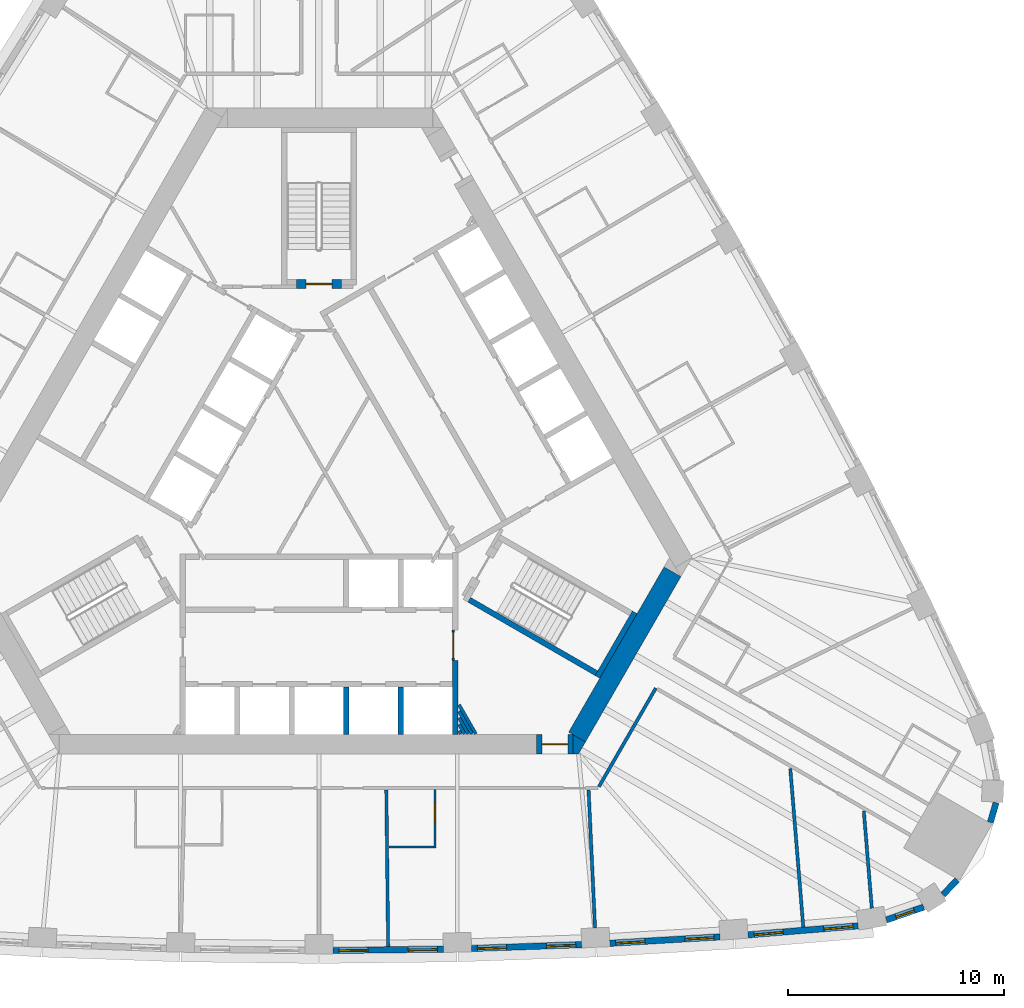
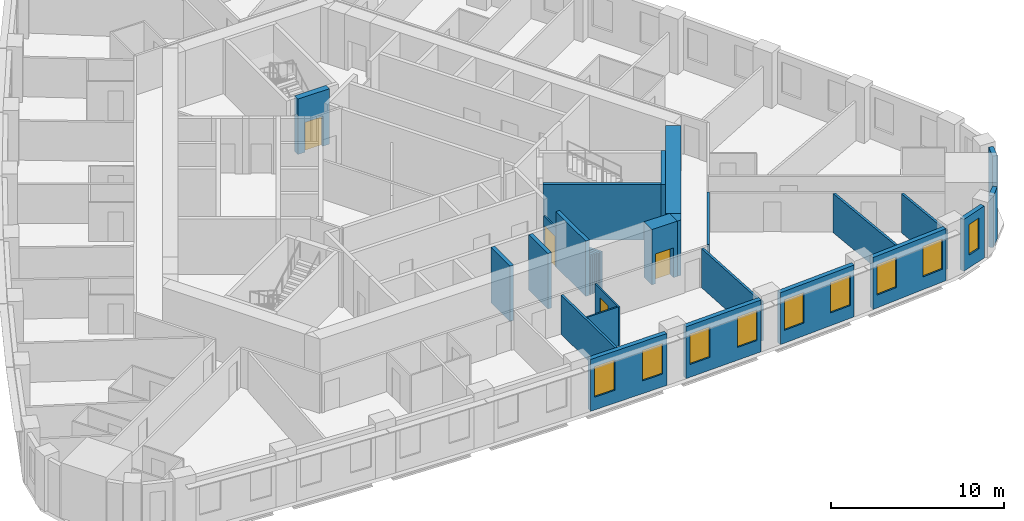
# One storey, part 7 of 13: 29 walls, 9 windows, 4 doors, 13 openings.
"""IFC4 building model written with IfcOpenShell, lengths in metres."""

from ifc_helpers import new_model, si_unit, direction, frame, frame_2d, origin, place, context, subcontext, project, spatial, polyline, rectangle, outline, extrude, material, layer, layer_set, type_object, element, fill, save


model = new_model("IFC4")

# Units and contexts
model_context = context("Model", 3, precision=1e-05, world=origin(), true_north=direction((0.0, 1.0)))
body_context = subcontext(model_context, "Body", "Model", "MODEL_VIEW")
ifc_project = project(units=[si_unit("LENGTHUNIT", "METRE"), si_unit("AREAUNIT", "SQUARE_METRE"), si_unit("VOLUMEUNIT", "CUBIC_METRE"), si_unit("PLANEANGLEUNIT", "RADIAN"), si_unit("MASSUNIT", "GRAM", prefix="KILO")], contexts=[model_context])

# Site, building, storey
site_placement = place(None, origin())
site = spatial("IfcSite", under=ifc_project, at=site_placement, CompositionType="ELEMENT")
building_placement = place(site_placement, origin())
building = spatial("IfcBuilding", under=site, at=building_placement, Name="Mestral Congress Tower", CompositionType="ELEMENT")
storey_placement = place(building_placement, frame((0.0, 0.0, 114.89990234375)))
storey = spatial("IfcBuildingStorey", under=building, at=storey_placement, Name="L27", CompositionType="ELEMENT", Elevation=114.89990234375)

# Walls
ifc_material_1 = material(Name="Fire-rated board partition")
ifc_layer_1 = layer(ifc_material_1, 0.14990234375)
ifc_layer_set_1 = layer_set([ifc_layer_1], Name="Fire-rated board partition")
wall_type_1 = type_object("IfcWallType", Name="Core partition 150", PredefinedType="PARTITIONING", material=ifc_layer_set_1)
wall_1_placement = place(storey_placement, frame((6.47998046875, -10.7255859375, 0.0), z_axis=(0.0, 0.0, 1.0), x_axis=(0.500017819788, -0.86601511528, 0.0)))
element("IfcWall", 1, at=wall_1_placement, inside=storey, type_object=wall_type_1, Name="L27 core wall", PredefinedType="PARTITIONING", context=body_context, shape_type="SweptSolid", body=[
    extrude(rectangle(XDim=1.55029296875, YDim=0.14990234375, at=frame_2d((0.775146484375, 0.0))), origin(), (0.0, 0.0, 1.0), 2.75),
])
wall_2_placement = place(storey_placement, frame((6.47998046875, -11.025634765625, 0.0), z_axis=(0.0, 0.0, 1.0), x_axis=(0.49995654735, -0.86605048973, 0.0)))
element("IfcWall", 2, at=wall_2_placement, inside=storey, type_object=wall_type_1, Name="L27 core wall", PredefinedType="PARTITIONING", context=body_context, shape_type="SweptSolid", body=[
    extrude(rectangle(XDim=1.20361328125, YDim=0.14990234375, at=frame_2d((0.601806640625, 0.0))), origin(), (0.0, 0.0, 1.0), 2.75),
])
wall_3_placement = place(storey_placement, frame((6.47998046875, -11.32568359375, 0.0), z_axis=(0.0, 0.0, 1.0), x_axis=(0.500059337743, -0.865991142412, 0.0)))
element("IfcWall", 3, at=wall_3_placement, inside=storey, type_object=wall_type_1, Name="L27 core wall", PredefinedType="PARTITIONING", context=body_context, shape_type="SweptSolid", body=[
    extrude(rectangle(XDim=0.857421875, YDim=0.14990234375, at=frame_2d((0.4287109375, 0.0))), origin(), (0.0, 0.0, 1.0), 2.75),
])
wall_4_placement = place(storey_placement, frame((6.47998046875, -11.625732421875, 0.0), z_axis=(0.0, 0.0, 1.0), x_axis=(0.500301480982, -0.865851273677, 0.0)))
element("IfcWall", 4, at=wall_4_placement, inside=storey, type_object=wall_type_1, Name="L27 core wall", PredefinedType="PARTITIONING", context=body_context, shape_type="SweptSolid", body=[
    extrude(rectangle(XDim=0.510986328125, YDim=0.14990234375, at=frame_2d((0.25537109375, 0.0))), origin(), (0.0, 0.0, 1.0), 2.75),
])
wall_5_placement = place(storey_placement, frame((6.47998046875, -11.92578125, 0.0), z_axis=(0.0, 0.0, 1.0), x_axis=(0.500450775723, -0.86576499183, 0.0)))
element("IfcWall", 5, at=wall_5_placement, inside=storey, type_object=wall_type_1, Name="L27 core wall", PredefinedType="PARTITIONING", context=body_context, shape_type="SweptSolid", body=[
    extrude(rectangle(XDim=0.164306640625, YDim=0.14990234375, at=frame_2d((0.08203125, 0.0))), origin(), (0.0, 0.0, 1.0), 2.75),
])

# Wall, opening, door
ifc_layer_2 = layer(ifc_material_1, 0.090087890625)
ifc_layer_set_2 = layer_set([ifc_layer_2], Name="Fire-rated board partition")
wall_type_2 = type_object("IfcWallType", Name="Core partition 150 door-wall 90", PredefinedType="PARTITIONING", material=ifc_layer_set_2)
wall_6_placement = place(storey_placement, frame((6.219970703125, -7.266357421875, 0.0), z_axis=(0.0, 0.0, 1.0), x_axis=(0.0, -1.0, 0.0)))
wall_6 = element("IfcWall", 6, at=wall_6_placement, inside=storey, type_object=wall_type_2, Name="L27 door wall", PredefinedType="PARTITIONING", context=body_context, shape_type="SweptSolid", body=[
    extrude(rectangle(XDim=1.400146484375, YDim=0.090087890625, at=frame_2d((0.7001953125, 0.0))), origin(), (0.0, 0.0, 1.0), 2.75),
])
opening_1_placement = place(wall_6_placement, frame((0.10009765625, 0.0, 0.0)))
opening_1 = element("IfcOpeningElement", 7, at=opening_1_placement, cuts=wall_6, Name="Opening LB0-WL1", PredefinedType="OPENING", context=body_context, shape_type="SweptSolid", body=[
    extrude(rectangle(XDim=1.199951171875, YDim=2.10009765625, at=frame_2d((0.60009765625, 1.050048828125))), frame((0.0, 0.054931640625, 0.0), z_axis=(0.0, -1.0, 0.0), x_axis=(1.0, 0.0, 0.0)), (0.0, 0.0, 1.0), 0.110107421875),
])
ifc_material_2 = material(Name="Fire-rated steel door set", Category="steel")
door_type_1 = type_object("IfcDoorType", Name="Core door LB 1200x2100", OperationType="SINGLE_SWING_LEFT", PredefinedType="DOOR", material=ifc_material_2)
door_1_placement = place(opening_1_placement, origin())
door_1 = element("IfcDoor", 8, at=door_1_placement, inside=storey, type_object=door_type_1, Name="Door LB0-WL1", OperationType="SINGLE_SWING_LEFT", OverallHeight=2.10009765625, OverallWidth=1.199951171875, PredefinedType="DOOR", context=body_context, shape_type="SweptSolid", body=[
    extrude(rectangle(XDim=1.199951171875, YDim=2.10009765625, at=frame_2d((0.60009765625, 1.050048828125))), frame((0.0, 0.02490234375, 0.0), z_axis=(0.0, -1.0, 0.0), x_axis=(1.0, 0.0, 0.0)), (0.0, 0.0, 1.0), 0.050048828125),
])
fill(opening_1, door_1)

# Walls
ifc_material_3 = material(Name="Concrete C60/75", Category="concrete")
ifc_layer_3 = layer(ifc_material_3, 0.89990234375)
ifc_layer_set_3 = layer_set([ifc_layer_3], Name="Concrete C60/75")
wall_type_3 = type_object("IfcWallType", Name="Core wall RC 900", PredefinedType="SOLIDWALL", material=ifc_layer_set_3)
wall_7_placement = place(storey_placement, frame((11.943115234375, -12.214111328125, 0.0), z_axis=(0.0, 0.0, 1.0), x_axis=(0.49998092645, 0.866036415623, 0.0)))
element("IfcWall", 9, at=wall_7_placement, inside=storey, type_object=wall_type_3, Name="L27 core wall", PredefinedType="SOLIDWALL", context=body_context, shape_type="SweptSolid", body=[
    extrude(rectangle(XDim=8.830322265625, YDim=0.89990234375, at=frame_2d((4.4150390625, 0.0))), origin(), (0.0, 0.0, 1.0), 3.900146484375),
])
wall_8_placement = place(storey_placement, origin())
element("IfcWall", 10, at=wall_8_placement, inside=storey, type_object=wall_type_3, Name="L27 core wall", PredefinedType="SOLIDWALL", context=body_context, shape_type="SweptSolid", body=[
    extrude(outline(polyline([(12.0087890625, -13.0), (11.764404296875, -13.0), (11.764404296875, -12.11328125), (12.331787109375, -12.440673828125), (12.0087890625, -13.0)])), origin(), (0.0, 0.0, 1.0), 3.900146484375),
])

# Wall, opening, door
wall_9_placement = place(storey_placement, frame((11.764404296875, -12.550048828125, 0.0), z_axis=(0.0, 0.0, 1.0), x_axis=(-1.0, 0.0, 0.0)))
wall_9 = element("IfcWall", 11, at=wall_9_placement, inside=storey, type_object=wall_type_3, Name="L27 door wall", PredefinedType="SOLIDWALL", context=body_context, shape_type="SweptSolid", body=[
    extrude(rectangle(XDim=1.699951171875, YDim=0.89990234375, at=frame_2d((0.85009765625, 0.0))), origin(), (0.0, 0.0, 1.0), 3.900146484375),
])
opening_2_placement = place(wall_9_placement, frame((0.25, 0.0, 0.0)))
opening_2 = element("IfcOpeningElement", 12, at=opening_2_placement, cuts=wall_9, Name="Opening XD1", PredefinedType="OPENING", context=body_context, shape_type="SweptSolid", body=[
    extrude(rectangle(XDim=1.199951171875, YDim=2.10009765625, at=frame_2d((0.60009765625, 1.050048828125))), frame((0.0, 0.4599609375, 0.0), z_axis=(0.0, -1.0, 0.0), x_axis=(1.0, 0.0, 0.0)), (0.0, 0.0, 1.0), 0.919921875),
])
door_type_2 = type_object("IfcDoorType", Name="Core door XD 1200x2100", OperationType="SINGLE_SWING_LEFT", PredefinedType="DOOR", material=ifc_material_2)
door_2_placement = place(opening_2_placement, origin())
door_2 = element("IfcDoor", 13, at=door_2_placement, inside=storey, type_object=door_type_2, Name="Door XD1", OperationType="SINGLE_SWING_LEFT", OverallHeight=2.10009765625, OverallWidth=1.199951171875, PredefinedType="DOOR", context=body_context, shape_type="SweptSolid", body=[
    extrude(rectangle(XDim=1.199951171875, YDim=2.10009765625, at=frame_2d((0.60009765625, 1.050048828125))), frame((0.0, 0.02490234375, 0.0), z_axis=(0.0, -1.0, 0.0), x_axis=(1.0, 0.0, 0.0)), (0.0, 0.0, 1.0), 0.050048828125),
])
fill(opening_2, door_2)

# Wall, openings, windows
ifc_material_4 = material(Name="Precast concrete C40/50 with limestone facing", Category="masonry")
ifc_layer_4 = layer(ifc_material_4, 0.2900390625)
ifc_layer_set_4 = layer_set([ifc_layer_4], Name="Precast concrete C40/50 with limestone facing")
wall_type_4 = type_object("IfcWallType", Name="Facade stone wall 290", PredefinedType="SOLIDWALL", material=ifc_layer_set_4)
wall_10_placement = place(storey_placement, frame((0.6533203125, -22.091064453125, 0.0), z_axis=(0.0, 0.0, 1.0), x_axis=(0.999931786565, 0.011679992145, 0.0)))
wall_10 = element("IfcWall", 14, at=wall_10_placement, inside=storey, type_object=wall_type_4, Name="Facade wall F0-04", PredefinedType="SOLIDWALL", context=body_context, shape_type="SweptSolid", body=[
    extrude(rectangle(XDim=5.10009765625, YDim=0.2900390625, at=frame_2d((2.550048828125, 0.0))), origin(), (0.0, 0.0, 1.0), 3.650146484375),
])
opening_3_placement = place(wall_10_placement, frame((0.272705078125, 0.0, 0.89990234375)))
opening_3 = element("IfcOpeningElement", 15, at=opening_3_placement, cuts=wall_10, Name="Opening W2", PredefinedType="OPENING", context=body_context, shape_type="SweptSolid", body=[
    extrude(rectangle(XDim=1.35009765625, YDim=2.14990234375, at=frame_2d((0.675048828125, 1.074951171875))), frame((0.0, 0.155029296875, 0.0), z_axis=(0.0, -1.0, 0.0), x_axis=(1.0, 0.0, 0.0)), (0.0, 0.0, 1.0), 0.31005859375),
])
opening_4_placement = place(wall_10_placement, frame((3.477783203125, 0.0, 0.89990234375)))
opening_4 = element("IfcOpeningElement", 16, at=opening_4_placement, cuts=wall_10, Name="Opening W2", PredefinedType="OPENING", context=body_context, shape_type="SweptSolid", body=[
    extrude(rectangle(XDim=1.35009765625, YDim=2.14990234375, at=frame_2d((0.675048828125, 1.074951171875))), frame((0.0, 0.155029296875, 0.0), z_axis=(0.0, -1.0, 0.0), x_axis=(1.0, 0.0, 0.0)), (0.0, 0.0, 1.0), 0.31005859375),
])
ifc_material_5 = material(Name="Clear low-emissivity double glazing", Category="glass")
window_type_1 = type_object("IfcWindowType", Name="Facade punched window 1350 x 2150 sill 900", PartitioningType="DOUBLE_PANEL_VERTICAL", PredefinedType="WINDOW", material=ifc_material_5)
window_1_placement = place(opening_3_placement, origin())
window_1 = element("IfcWindow", 17, at=window_1_placement, inside=storey, type_object=window_type_1, Name="Window F0-04a", OverallHeight=2.14990234375, OverallWidth=1.35009765625, PartitioningType="DOUBLE_PANEL_VERTICAL", PredefinedType="WINDOW", context=body_context, shape_type="SweptSolid", body=[
    extrude(rectangle(XDim=1.35009765625, YDim=2.14990234375, at=frame_2d((0.675048828125, 1.074951171875))), frame((0.0, 0.01513671875, 0.0), z_axis=(0.0, -1.0, 0.0), x_axis=(1.0, 0.0, 0.0)), (0.0, 0.0, 1.0), 0.06005859375),
])
fill(opening_3, window_1)
window_2_placement = place(opening_4_placement, origin())
window_2 = element("IfcWindow", 18, at=window_2_placement, inside=storey, type_object=window_type_1, Name="Window F0-04b", OverallHeight=2.14990234375, OverallWidth=1.35009765625, PartitioningType="DOUBLE_PANEL_VERTICAL", PredefinedType="WINDOW", context=body_context, shape_type="SweptSolid", body=[
    extrude(rectangle(XDim=1.35009765625, YDim=2.14990234375, at=frame_2d((0.675048828125, 1.074951171875))), frame((0.0, 0.01513671875, 0.0), z_axis=(0.0, -1.0, 0.0), x_axis=(1.0, 0.0, 0.0)), (0.0, 0.0, 1.0), 0.06005859375),
])
fill(opening_4, window_2)

wall_11_placement = place(storey_placement, frame((7.059326171875, -22.000732421875, 0.0), z_axis=(0.0, 0.0, 1.0), x_axis=(0.999385993957, 0.035037623812, 0.0)))
wall_11 = element("IfcWall", 19, at=wall_11_placement, inside=storey, type_object=wall_type_4, Name="Facade wall F0-05", PredefinedType="SOLIDWALL", context=body_context, shape_type="SweptSolid", body=[
    extrude(rectangle(XDim=5.1005859375, YDim=0.2900390625, at=frame_2d((2.55029296875, 0.0))), origin(), (0.0, 0.0, 1.0), 3.650146484375),
])
opening_5_placement = place(wall_11_placement, frame((0.272705078125, 0.0, 0.89990234375)))
opening_5 = element("IfcOpeningElement", 20, at=opening_5_placement, cuts=wall_11, Name="Opening W2", PredefinedType="OPENING", context=body_context, shape_type="SweptSolid", body=[
    extrude(rectangle(XDim=1.35009765625, YDim=2.14990234375, at=frame_2d((0.675048828125, 1.074951171875))), frame((0.0, 0.155029296875, 0.0), z_axis=(0.0, -1.0, 0.0), x_axis=(1.0, 0.0, 0.0)), (0.0, 0.0, 1.0), 0.31005859375),
])
opening_6_placement = place(wall_11_placement, frame((3.477783203125, 0.0, 0.89990234375)))
opening_6 = element("IfcOpeningElement", 21, at=opening_6_placement, cuts=wall_11, Name="Opening W2", PredefinedType="OPENING", context=body_context, shape_type="SweptSolid", body=[
    extrude(rectangle(XDim=1.35009765625, YDim=2.14990234375, at=frame_2d((0.675048828125, 1.074951171875))), frame((0.0, 0.155029296875, 0.0), z_axis=(0.0, -1.0, 0.0), x_axis=(1.0, 0.0, 0.0)), (0.0, 0.0, 1.0), 0.31005859375),
])
window_3_placement = place(opening_5_placement, origin())
window_3 = element("IfcWindow", 22, at=window_3_placement, inside=storey, type_object=window_type_1, Name="Window F0-05a", OverallHeight=2.14990234375, OverallWidth=1.35009765625, PartitioningType="DOUBLE_PANEL_VERTICAL", PredefinedType="WINDOW", context=body_context, shape_type="SweptSolid", body=[
    extrude(rectangle(XDim=1.35009765625, YDim=2.14990234375, at=frame_2d((0.675048828125, 1.074951171875))), frame((0.0, 0.01513671875, 0.0), z_axis=(0.0, -1.0, 0.0), x_axis=(1.0, 0.0, 0.0)), (0.0, 0.0, 1.0), 0.06005859375),
])
fill(opening_5, window_3)
window_4_placement = place(opening_6_placement, origin())
window_4 = element("IfcWindow", 23, at=window_4_placement, inside=storey, type_object=window_type_1, Name="Window F0-05b", OverallHeight=2.14990234375, OverallWidth=1.35009765625, PartitioningType="DOUBLE_PANEL_VERTICAL", PredefinedType="WINDOW", context=body_context, shape_type="SweptSolid", body=[
    extrude(rectangle(XDim=1.35009765625, YDim=2.14990234375, at=frame_2d((0.675048828125, 1.074951171875))), frame((0.0, 0.01513671875, 0.0), z_axis=(0.0, -1.0, 0.0), x_axis=(1.0, 0.0, 0.0)), (0.0, 0.0, 1.0), 0.06005859375),
])
fill(opening_6, window_4)

wall_12_placement = place(storey_placement, frame((13.4619140625, -21.760986328125, 0.0), z_axis=(0.0, 0.0, 1.0), x_axis=(0.998290511436, 0.058447025388, 0.0)))
wall_12 = element("IfcWall", 24, at=wall_12_placement, inside=storey, type_object=wall_type_4, Name="Facade wall F0-06", PredefinedType="SOLIDWALL", context=body_context, shape_type="SweptSolid", body=[
    extrude(rectangle(XDim=5.100341796875, YDim=0.2900390625, at=frame_2d((2.55029296875, 0.0))), origin(), (0.0, 0.0, 1.0), 3.650146484375),
])
opening_7_placement = place(wall_12_placement, frame((0.2724609375, 0.0, 0.89990234375)))
opening_7 = element("IfcOpeningElement", 25, at=opening_7_placement, cuts=wall_12, Name="Opening W2", PredefinedType="OPENING", context=body_context, shape_type="SweptSolid", body=[
    extrude(rectangle(XDim=1.35009765625, YDim=2.14990234375, at=frame_2d((0.675048828125, 1.074951171875))), frame((0.0, 0.155029296875, 0.0), z_axis=(0.0, -1.0, 0.0), x_axis=(1.0, 0.0, 0.0)), (0.0, 0.0, 1.0), 0.31005859375),
])
opening_8_placement = place(wall_12_placement, frame((3.477783203125, 0.0, 0.89990234375)))
opening_8 = element("IfcOpeningElement", 26, at=opening_8_placement, cuts=wall_12, Name="Opening W2", PredefinedType="OPENING", context=body_context, shape_type="SweptSolid", body=[
    extrude(rectangle(XDim=1.35009765625, YDim=2.14990234375, at=frame_2d((0.675048828125, 1.074951171875))), frame((0.0, 0.155029296875, 0.0), z_axis=(0.0, -1.0, 0.0), x_axis=(1.0, 0.0, 0.0)), (0.0, 0.0, 1.0), 0.31005859375),
])
window_5_placement = place(opening_7_placement, origin())
window_5 = element("IfcWindow", 27, at=window_5_placement, inside=storey, type_object=window_type_1, Name="Window F0-06a", OverallHeight=2.14990234375, OverallWidth=1.35009765625, PartitioningType="DOUBLE_PANEL_VERTICAL", PredefinedType="WINDOW", context=body_context, shape_type="SweptSolid", body=[
    extrude(rectangle(XDim=1.35009765625, YDim=2.14990234375, at=frame_2d((0.675048828125, 1.074951171875))), frame((0.0, 0.01513671875, 0.0), z_axis=(0.0, -1.0, 0.0), x_axis=(1.0, 0.0, 0.0)), (0.0, 0.0, 1.0), 0.06005859375),
])
fill(opening_7, window_5)
window_6_placement = place(opening_8_placement, origin())
window_6 = element("IfcWindow", 28, at=window_6_placement, inside=storey, type_object=window_type_1, Name="Window F0-06b", OverallHeight=2.14990234375, OverallWidth=1.35009765625, PartitioningType="DOUBLE_PANEL_VERTICAL", PredefinedType="WINDOW", context=body_context, shape_type="SweptSolid", body=[
    extrude(rectangle(XDim=1.35009765625, YDim=2.14990234375, at=frame_2d((0.675048828125, 1.074951171875))), frame((0.0, 0.01513671875, 0.0), z_axis=(0.0, -1.0, 0.0), x_axis=(1.0, 0.0, 0.0)), (0.0, 0.0, 1.0), 0.06005859375),
])
fill(opening_8, window_6)

wall_13_placement = place(storey_placement, frame((19.856689453125, -21.37109375, 0.0), z_axis=(0.0, 0.0, 1.0), x_axis=(0.99665273362, 0.081751627308, 0.0)))
wall_13 = element("IfcWall", 29, at=wall_13_placement, inside=storey, type_object=wall_type_4, Name="Facade wall F0-07", PredefinedType="SOLIDWALL", context=body_context, shape_type="SweptSolid", body=[
    extrude(rectangle(XDim=5.106689453125, YDim=0.2900390625, at=frame_2d((2.55322265625, 0.0))), origin(), (0.0, 0.0, 1.0), 3.650146484375),
])
opening_9_placement = place(wall_13_placement, frame((0.285400390625, 0.0, 0.89990234375)))
opening_9 = element("IfcOpeningElement", 30, at=opening_9_placement, cuts=wall_13, Name="Opening W2", PredefinedType="OPENING", context=body_context, shape_type="SweptSolid", body=[
    extrude(rectangle(XDim=1.35009765625, YDim=2.14990234375, at=frame_2d((0.675048828125, 1.074951171875))), frame((0.0, 0.155029296875, 0.0), z_axis=(0.0, -1.0, 0.0), x_axis=(1.0, 0.0, 0.0)), (0.0, 0.0, 1.0), 0.31005859375),
])
opening_10_placement = place(wall_13_placement, frame((3.51611328125, 0.0, 0.89990234375)))
opening_10 = element("IfcOpeningElement", 31, at=opening_10_placement, cuts=wall_13, Name="Opening W2", PredefinedType="OPENING", context=body_context, shape_type="SweptSolid", body=[
    extrude(rectangle(XDim=1.35009765625, YDim=2.14990234375, at=frame_2d((0.675048828125, 1.074951171875))), frame((0.0, 0.155029296875, 0.0), z_axis=(0.0, -1.0, 0.0), x_axis=(1.0, 0.0, 0.0)), (0.0, 0.0, 1.0), 0.31005859375),
])
window_7_placement = place(opening_9_placement, origin())
window_7 = element("IfcWindow", 32, at=window_7_placement, inside=storey, type_object=window_type_1, Name="Window F0-07a", OverallHeight=2.14990234375, OverallWidth=1.35009765625, PartitioningType="DOUBLE_PANEL_VERTICAL", PredefinedType="WINDOW", context=body_context, shape_type="SweptSolid", body=[
    extrude(rectangle(XDim=1.35009765625, YDim=2.14990234375, at=frame_2d((0.675048828125, 1.074951171875))), frame((0.0, 0.01513671875, 0.0), z_axis=(0.0, -1.0, 0.0), x_axis=(1.0, 0.0, 0.0)), (0.0, 0.0, 1.0), 0.06005859375),
])
fill(opening_9, window_7)
window_8_placement = place(opening_10_placement, origin())
window_8 = element("IfcWindow", 33, at=window_8_placement, inside=storey, type_object=window_type_1, Name="Window F0-07b", OverallHeight=2.14990234375, OverallWidth=1.35009765625, PartitioningType="DOUBLE_PANEL_VERTICAL", PredefinedType="WINDOW", context=body_context, shape_type="SweptSolid", body=[
    extrude(rectangle(XDim=1.35009765625, YDim=2.14990234375, at=frame_2d((0.675048828125, 1.074951171875))), frame((0.0, 0.01513671875, 0.0), z_axis=(0.0, -1.0, 0.0), x_axis=(1.0, 0.0, 0.0)), (0.0, 0.0, 1.0), 0.06005859375),
])
fill(opening_10, window_8)

# Wall, opening, window
wall_14_placement = place(storey_placement, frame((26.260986328125, -20.67919921875, 0.0), z_axis=(0.0, 0.0, 1.0), x_axis=(0.945385815453, 0.325953462844, 0.0)))
wall_14 = element("IfcWall", 34, at=wall_14_placement, inside=storey, type_object=wall_type_4, Name="Facade wall K0-0", PredefinedType="SOLIDWALL", context=body_context, shape_type="SweptSolid", body=[
    extrude(rectangle(XDim=1.8193359375, YDim=0.2900390625, at=frame_2d((0.90966796875, 0.0))), origin(), (0.0, 0.0, 1.0), 3.650146484375),
])
opening_11_placement = place(wall_14_placement, frame((0.459716796875, 0.0, 0.89990234375)))
opening_11 = element("IfcOpeningElement", 35, at=opening_11_placement, cuts=wall_14, Name="Opening W3", PredefinedType="OPENING", context=body_context, shape_type="SweptSolid", body=[
    extrude(rectangle(XDim=0.89990234375, YDim=2.14990234375, at=frame_2d((0.449951171875, 1.074951171875))), frame((0.0, 0.155029296875, 0.0), z_axis=(0.0, -1.0, 0.0), x_axis=(1.0, 0.0, 0.0)), (0.0, 0.0, 1.0), 0.31005859375),
])
window_type_2 = type_object("IfcWindowType", Name="Facade punched window 900 x 2150 sill 900", PartitioningType="SINGLE_PANEL", PredefinedType="WINDOW", material=ifc_material_5)
window_9_placement = place(opening_11_placement, origin())
window_9 = element("IfcWindow", 36, at=window_9_placement, inside=storey, type_object=window_type_2, Name="Window K0-0", OverallHeight=2.14990234375, OverallWidth=0.89990234375, PartitioningType="SINGLE_PANEL", PredefinedType="WINDOW", context=body_context, shape_type="SweptSolid", body=[
    extrude(rectangle(XDim=0.89990234375, YDim=2.14990234375, at=frame_2d((0.449951171875, 1.074951171875))), frame((0.0, 0.01513671875, 0.0), z_axis=(0.0, -1.0, 0.0), x_axis=(1.0, 0.0, 0.0)), (0.0, 0.0, 1.0), 0.06005859375),
])
fill(opening_11, window_9)

# Walls
wall_15_placement = place(storey_placement, frame((28.88037109375, -19.50927734375, 0.0), z_axis=(0.0, 0.0, 1.0), x_axis=(0.690414427296, 0.723414071319, 0.0)))
element("IfcWall", 37, at=wall_15_placement, inside=storey, type_object=wall_type_4, Name="Facade wall K0-1", PredefinedType="SOLIDWALL", context=body_context, shape_type="SweptSolid", body=[
    extrude(rectangle(XDim=0.947021484375, YDim=0.2900390625, at=frame_2d((0.4736328125, 0.0))), origin(), (0.0, 0.0, 1.0), 3.650146484375),
])
wall_16_placement = place(storey_placement, frame((31.069091796875, -16.165283203125, 0.0), z_axis=(0.0, 0.0, 1.0), x_axis=(0.281454582132, 0.95957455062, 0.0)))
element("IfcWall", 38, at=wall_16_placement, inside=storey, type_object=wall_type_4, Name="Facade wall K0-2", PredefinedType="SOLIDWALL", context=body_context, shape_type="SweptSolid", body=[
    extrude(rectangle(XDim=0.947265625, YDim=0.2900390625, at=frame_2d((0.4736328125, 0.0))), origin(), (0.0, 0.0, 1.0), 3.650146484375),
])

# Wall, opening, door
ifc_material_6 = material(Name="Gypsum board partition on metal studs with mineral wool", Category="composite")
ifc_layer_5 = layer(ifc_material_6, 0.10009765625)
ifc_layer_set_5 = layer_set([ifc_layer_5], Name="Gypsum board partition on metal studs with mineral wool")
wall_type_5 = type_object("IfcWallType", Name="Hotel partition wall 100", PredefinedType="PARTITIONING", material=ifc_layer_set_5)
wall_17_placement = place(storey_placement, frame((5.37060546875, -17.35009765625, 0.0), z_axis=(0.0, 0.0, 1.0), x_axis=(0.0, 1.0, 0.0)))
wall_17 = element("IfcWall", 39, at=wall_17_placement, inside=storey, type_object=wall_type_5, Name="L27-h-pod05a", PredefinedType="PARTITIONING", context=body_context, shape_type="SweptSolid", body=[
    extrude(rectangle(XDim=2.7001953125, YDim=0.10009765625, at=frame_2d((1.35009765625, 0.0))), origin(), (0.0, 0.0, 1.0), 2.75),
])
opening_12_placement = place(wall_17_placement, frame((1.199951171875, 0.0, 0.0)))
opening_12 = element("IfcOpeningElement", 40, at=opening_12_placement, cuts=wall_17, Name="Opening H08-009", PredefinedType="OPENING", context=body_context, shape_type="SweptSolid", body=[
    extrude(rectangle(XDim=0.89990234375, YDim=2.10009765625, at=frame_2d((0.449951171875, 1.050048828125))), frame((0.0, 0.06005859375, 0.0), z_axis=(0.0, -1.0, 0.0), x_axis=(1.0, 0.0, 0.0)), (0.0, 0.0, 1.0), 0.1201171875),
])
ifc_material_7 = material(Name="Timber veneer door leaf in timber frame", Category="wood")
door_type_3 = type_object("IfcDoorType", Name="Bathroom door 900", OperationType="SINGLE_SWING_LEFT", PredefinedType="DOOR", material=ifc_material_7)
door_3_placement = place(opening_12_placement, origin())
door_3 = element("IfcDoor", 41, at=door_3_placement, inside=storey, type_object=door_type_3, Name="L27-h-d009", OperationType="SINGLE_SWING_LEFT", OverallHeight=2.10009765625, OverallWidth=0.89990234375, PredefinedType="DOOR", context=body_context, shape_type="SweptSolid", body=[
    extrude(rectangle(XDim=0.89990234375, YDim=2.10009765625, at=frame_2d((0.449951171875, 1.050048828125))), frame((0.0, 0.02490234375, 0.0), z_axis=(0.0, -1.0, 0.0), x_axis=(1.0, 0.0, 0.0)), (0.0, 0.0, 1.0), 0.050048828125),
])
fill(opening_12, door_3)

# Walls
wall_18_placement = place(storey_placement, frame((5.32080078125, -17.300048828125, 0.0), z_axis=(0.0, 0.0, 1.0), x_axis=(-1.0, 0.0, 0.0)))
element("IfcWall", 42, at=wall_18_placement, inside=storey, type_object=wall_type_5, Name="L27-h-pod05b", PredefinedType="PARTITIONING", context=body_context, shape_type="SweptSolid", body=[
    extrude(rectangle(XDim=2.090087890625, YDim=0.10009765625, at=frame_2d((1.044921875, 0.0))), origin(), (0.0, 0.0, 1.0), 2.75),
])
ifc_layer_6 = layer(ifc_material_6, 0.14990234375)
ifc_layer_set_6 = layer_set([ifc_layer_6], Name="Gypsum board partition on metal studs with mineral wool")
wall_type_6 = type_object("IfcWallType", Name="Hotel partition wall 150", PredefinedType="PARTITIONING", material=ifc_layer_set_6)
wall_19_placement = place(storey_placement, frame((15.58740234375, -9.951904296875, 0.0), z_axis=(0.0, 0.0, 1.0), x_axis=(-0.500016618951, -0.866015808616, 0.0)))
element("IfcWall", 43, at=wall_19_placement, inside=storey, type_object=wall_type_6, Name="L27-h-cw14", PredefinedType="PARTITIONING", context=body_context, shape_type="SweptSolid", body=[
    extrude(rectangle(XDim=5.268310546875, YDim=0.14990234375, at=frame_2d((2.63427734375, 0.0))), origin(), (0.0, 0.0, 1.0), 2.75),
])
wall_20_placement = place(storey_placement, frame((3.20166015625, -21.916259765625, 0.0), z_axis=(0.0, 0.0, 1.0), x_axis=(-0.011707696285, 0.999931462575, 0.0)))
element("IfcWall", 44, at=wall_20_placement, inside=storey, type_object=wall_type_6, Name="L27-h-pw16", PredefinedType="PARTITIONING", context=body_context, shape_type="SweptSolid", body=[
    extrude(rectangle(XDim=7.2568359375, YDim=0.14990234375, at=frame_2d((3.62841796875, 0.0))), origin(), (0.0, 0.0, 1.0), 2.75),
])
wall_21_placement = place(storey_placement, frame((12.7744140625, -21.044921875, 0.0), z_axis=(0.0, 0.0, 1.0), x_axis=(-0.046750341626, 0.998906605023, 0.0)))
element("IfcWall", 45, at=wall_21_placement, inside=storey, type_object=wall_type_6, Name="L27-h-pw20", PredefinedType="PARTITIONING", context=body_context, shape_type="SweptSolid", body=[
    extrude(rectangle(XDim=6.39208984375, YDim=0.14990234375, at=frame_2d((3.196044921875, 0.0))), origin(), (0.0, 0.0, 1.0), 2.75),
])
wall_22_placement = place(storey_placement, frame((22.412109375, -21.01611328125, 0.0), z_axis=(0.0, 0.0, 1.0), x_axis=(-0.081744540534, 0.996653314896, 0.0)))
element("IfcWall", 46, at=wall_22_placement, inside=storey, type_object=wall_type_6, Name="L27-h-pw25", PredefinedType="PARTITIONING", context=body_context, shape_type="SweptSolid", body=[
    extrude(rectangle(XDim=7.362060546875, YDim=0.14990234375, at=frame_2d((3.68115234375, 0.0))), origin(), (0.0, 0.0, 1.0), 2.75),
])
wall_23_placement = place(storey_placement, frame((25.581787109375, -20.13818359375, 0.0), z_axis=(0.0, 0.0, 1.0), x_axis=(-0.081746132986, 0.996653184283, 0.0)))
element("IfcWall", 47, at=wall_23_placement, inside=storey, type_object=wall_type_6, Name="L27-h-pw26", PredefinedType="PARTITIONING", context=body_context, shape_type="SweptSolid", body=[
    extrude(rectangle(XDim=4.509765625, YDim=0.14990234375, at=frame_2d((2.2548828125, 0.0))), origin(), (0.0, 0.0, 1.0), 2.75),
])
ifc_layer_7 = layer(ifc_material_3, 0.25)
ifc_layer_set_7 = layer_set([ifc_layer_7], Name="Concrete C60/75")
wall_type_7 = type_object("IfcWallType", Name="Shaft wall RC 250", PredefinedType="SOLIDWALL", material=ifc_layer_set_7)
wall_24_placement = place(storey_placement, frame((6.300048828125, -12.10009765625, 0.0), z_axis=(0.0, 0.0, 1.0), x_axis=(0.0, 1.0, 0.0)))
element("IfcWall", 48, at=wall_24_placement, inside=storey, type_object=wall_type_7, Name="L27 core wall", PredefinedType="SOLIDWALL", context=body_context, shape_type="SweptSolid", body=[
    extrude(rectangle(XDim=3.427978515625, YDim=0.25, at=frame_2d((1.7138671875, 0.0))), origin(), (0.0, 0.0, 1.0), 3.900146484375),
])
for number, where, z_axis, x_axis, name in (
    (49, (3.780029296875, -12.10009765625, 0.0), (0.0, 0.0, 1.0), (0.0, 1.0, 0.0), "L27 core wall"),
    (50, (1.260009765625, -12.10009765625, 0.0), (0.0, 0.0, 1.0), (0.0, 1.0, 0.0), "L27 core wall"),
):
    element("IfcWall", number, at=place(storey_placement, frame(where, z_axis=z_axis, x_axis=x_axis)), inside=storey, type_object=wall_type_7, Name=name, PredefinedType="SOLIDWALL", context=body_context, shape_type="SweptSolid", body=[
        extrude(rectangle(XDim=2.199951171875, YDim=0.25, at=frame_2d((1.10009765625, 0.0))), origin(), (0.0, 0.0, 1.0), 3.900146484375),
    ])
ifc_layer_8 = layer(ifc_material_3, 0.25)
ifc_layer_set_8 = layer_set([ifc_layer_8], Name="Concrete C60/75")
wall_type_8 = type_object("IfcWallType", Name="Stair wall RC 250", PredefinedType="SOLIDWALL", material=ifc_layer_set_8)
wall_25_placement = place(storey_placement, frame((12.885498046875, -9.431396484375, 0.0), z_axis=(0.0, 0.0, 1.0), x_axis=(0.500020560727, 0.866013532718, 0.0)))
element("IfcWall", 51, at=wall_25_placement, inside=storey, type_object=wall_type_8, Name="L27 core wall", PredefinedType="SOLIDWALL", context=body_context, shape_type="SweptSolid", body=[
    extrude(rectangle(XDim=3.449951171875, YDim=0.25, at=frame_2d((1.72509765625, 0.0))), origin(), (0.0, 0.0, 1.0), 3.900146484375),
])
wall_26_placement = place(storey_placement, frame((12.83984375, -9.2607421875, 0.0), z_axis=(0.0, 0.0, 1.0), x_axis=(-0.866013990052, 0.500019768644, 0.0)))
element("IfcWall", 52, at=wall_26_placement, inside=storey, type_object=wall_type_8, Name="L27 core wall", PredefinedType="SOLIDWALL", context=body_context, shape_type="SweptSolid", body=[
    extrude(rectangle(XDim=6.800048828125, YDim=0.25, at=frame_2d((3.39990234375, 0.0))), origin(), (0.0, 0.0, 1.0), 3.900146484375),
])

# Wall, opening, door
ifc_layer_9 = layer(ifc_material_3, 0.39990234375)
ifc_layer_set_9 = layer_set([ifc_layer_9], Name="Concrete C60/75")
wall_type_9 = type_object("IfcWallType", Name="Stair wall RC 250 door-wall 400", PredefinedType="SOLIDWALL", material=ifc_layer_set_9)
wall_27_placement = place(storey_placement, frame((1.050048828125, 8.75, 0.0), z_axis=(0.0, 0.0, 1.0), x_axis=(-1.0, 0.0, 0.0)))
wall_27 = element("IfcWall", 53, at=wall_27_placement, inside=storey, type_object=wall_type_9, Name="L27 door wall", PredefinedType="SOLIDWALL", context=body_context, shape_type="SweptSolid", body=[
    extrude(rectangle(XDim=2.10009765625, YDim=0.39990234375, at=frame_2d((1.050048828125, 0.0))), origin(), (0.0, 0.0, 1.0), 3.900146484375),
])
opening_13_placement = place(wall_27_placement, frame((0.449951171875, 0.0, 0.0)))
opening_13 = element("IfcOpeningElement", 54, at=opening_13_placement, cuts=wall_27, Name="Opening ST-D2", PredefinedType="OPENING", context=body_context, shape_type="SweptSolid", body=[
    extrude(rectangle(XDim=1.199951171875, YDim=2.10009765625, at=frame_2d((0.60009765625, 1.050048828125))), frame((0.0, 0.2099609375, 0.0), z_axis=(0.0, -1.0, 0.0), x_axis=(1.0, 0.0, 0.0)), (0.0, 0.0, 1.0), 0.419921875),
])
door_type_4 = type_object("IfcDoorType", Name="Core door ST 1200x2100", OperationType="SINGLE_SWING_LEFT", PredefinedType="DOOR", material=ifc_material_2)
door_4_placement = place(opening_13_placement, origin())
door_4 = element("IfcDoor", 55, at=door_4_placement, inside=storey, type_object=door_type_4, Name="Door ST-D2", OperationType="SINGLE_SWING_LEFT", OverallHeight=2.10009765625, OverallWidth=1.199951171875, PredefinedType="DOOR", context=body_context, shape_type="SweptSolid", body=[
    extrude(rectangle(XDim=1.199951171875, YDim=2.10009765625, at=frame_2d((0.60009765625, 1.050048828125))), frame((0.0, 0.02490234375, 0.0), z_axis=(0.0, -1.0, 0.0), x_axis=(1.0, 0.0, 0.0)), (0.0, 0.0, 1.0), 0.050048828125),
])
fill(opening_13, door_4)

save(model, "model.ifc")
